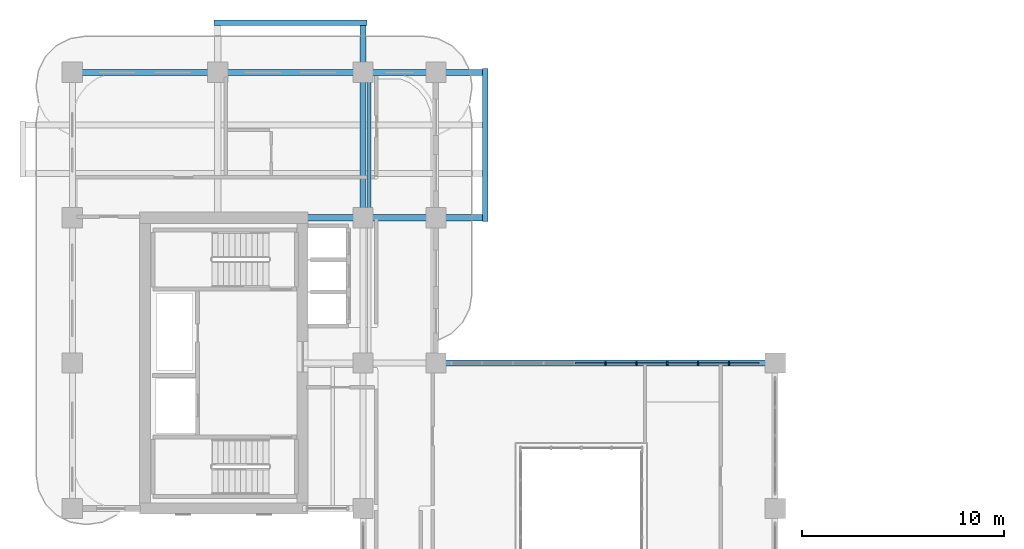
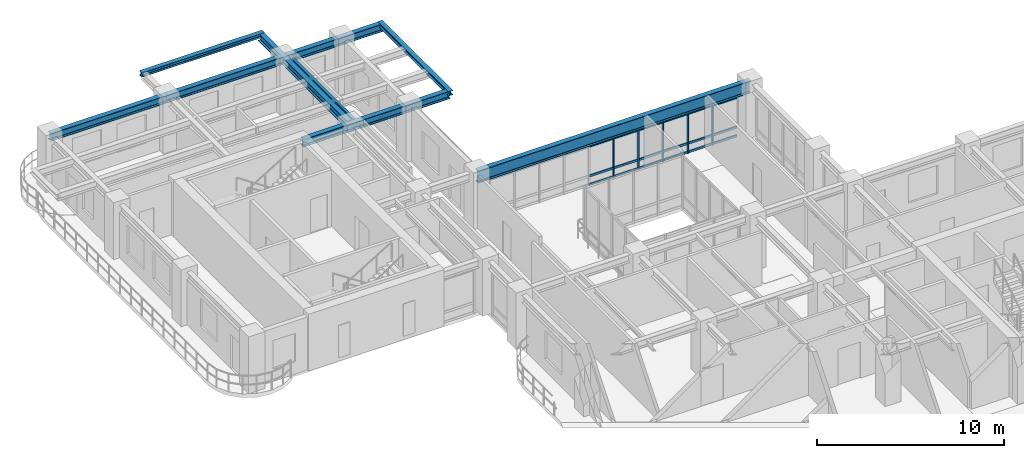
# One storey, part 6 of 20: 23 members, 8 beams, 1 element without a shape of its own.
"""IFC4 building model written with IfcOpenShell, lengths in metres."""

from ifc_helpers import new_model, si_unit, derived_unit, direction, frame, origin, origin_2d, place, context, subcontext, project, spatial, rectangle, i_section, extrude, source, transform, mapped, material, layer, layer_set, material_profile, profile_set, type_object, type_shapes, element, aggregate, save


model = new_model("IFC4")

# Units and contexts
model_context = context("Model", 3, precision=1e-05, world=origin(), true_north=direction((0.0, 1.0)))
body_context = subcontext(model_context, "Body", "Model", "MODEL_VIEW")
ifc_project = project(units=[si_unit("LENGTHUNIT", "METRE"), si_unit("AREAUNIT", "SQUARE_METRE"), si_unit("VOLUMEUNIT", "CUBIC_METRE"), si_unit("PLANEANGLEUNIT", "RADIAN"), si_unit("MASSUNIT", "GRAM", prefix="KILO"), si_unit("THERMODYNAMICTEMPERATUREUNIT", "KELVIN"), si_unit("POWERUNIT", "WATT"), derived_unit("THERMALTRANSMITTANCEUNIT", [(si_unit("POWERUNIT", "WATT"), 1), (si_unit("AREAUNIT", "SQUARE_METRE"), -1), (si_unit("THERMODYNAMICTEMPERATUREUNIT", "KELVIN"), -1)])], contexts=[model_context])

# Site, building, storey
site_placement = place(None, origin())
site = spatial("IfcSite", under=ifc_project, at=site_placement, CompositionType="ELEMENT")
building_placement = place(site_placement, origin())
building = spatial("IfcBuilding", under=site, at=building_placement, Name="Zahravan Archway Hotel and Residences", CompositionType="ELEMENT")
storey_placement = place(building_placement, frame((0.0, 0.0, 111.800048828125)))
storey = spatial("IfcBuildingStorey", under=building, at=storey_placement, Name="L27", CompositionType="ELEMENT", Elevation=111.800048828125)

# Beams
ifc_material_1 = material(Name="Structural Steel S355JR", Category="steel")
ifc_material_profile_1 = material_profile(ifc_material_1, i_section(OverallWidth=0.280029296875, OverallDepth=0.280029296875, WebThickness=0.010498046875, FlangeThickness=0.01806640625, FilletRadius=0.02392578125, at=origin_2d()), Name="HEB 280", Category="steel")
ifc_profile_set_1 = profile_set([ifc_material_profile_1], Name="Structural Steel S355JR")
beam_type_1 = type_object("IfcBeamType", Name="BM-SPN-HEB280", PredefinedType="SPANDREL", material=ifc_profile_set_1)
shared_shape_1 = source(origin(), body_context, "Body", "SweptSolid", [
    extrude(i_section(OverallWidth=0.280029296875, OverallDepth=0.280029296875, WebThickness=0.010498046875, FlangeThickness=0.01806640625, FilletRadius=0.02392578125, at=origin_2d()), origin(), (0.0, 0.0, 1.0), 7.56005859375),
])
type_shapes(beam_type_1, [shared_shape_1])
for number, where, z_axis, x_axis, name in (
    (1, (20.449951171875, 39.419921875, 3.31005859375), (0.0, 1.0, 0.0), (-1.0, 0.0, 0.0), "L28 EB Balcony Edge Spandrel"),
    (2, (7.02001953125, 49.25, 3.31005859375), (1.0, 0.0, 0.0), (0.0, 1.0, 0.0), "L28 NB Balcony Edge Spandrel"),
):
    element("IfcBeam", number, at=place(storey_placement, frame(where, z_axis=z_axis, x_axis=x_axis)), inside=storey, type_object=beam_type_1, Name=name, PredefinedType="SPANDREL", context=body_context, shape_type="MappedRepresentation", body=[
        mapped(shared_shape_1, transform((0.0, 0.0, 0.0), scale=1.0)),
    ])
ifc_material_2 = material(Name="Structural Steel S355J2", Category="steel")
ifc_material_profile_2 = material_profile(ifc_material_2, i_section(OverallWidth=0.300048828125, OverallDepth=0.800048828125, WebThickness=0.017578125, FlangeThickness=0.032958984375, FilletRadius=0.030029296875, at=origin_2d()), Name="HEB 800", Category="steel")
ifc_profile_set_2 = profile_set([ifc_material_profile_2], Name="Structural Steel S355J2")
beam_type_2 = type_object("IfcBeamType", Name="BM-PRI-HEB800", PredefinedType="BEAM", material=ifc_profile_set_2)
shared_shape_2 = source(origin(), body_context, "Body", "SweptSolid", [
    extrude(i_section(OverallWidth=0.300048828125, OverallDepth=0.800048828125, WebThickness=0.017578125, FlangeThickness=0.032958984375, FilletRadius=0.030029296875, at=origin_2d()), origin(), (0.0, 0.0, 1.0), 16.800048828125),
])
type_shapes(beam_type_2, [shared_shape_2])
beam_1_placement = place(storey_placement, frame((18.0, 32.39990234375, 3.050048828125), z_axis=(1.0, 0.0, 0.0), x_axis=(0.0, 1.0, 0.0)))
element("IfcBeam", 3, at=beam_1_placement, inside=storey, type_object=beam_type_2, Name="L27 Primary Girder EW-18", PredefinedType="BEAM", context=body_context, shape_type="MappedRepresentation", body=[
    mapped(shared_shape_2, transform((0.0, 0.0, 0.0), scale=1.0)),
])
ifc_material_profile_3 = material_profile(ifc_material_1, i_section(OverallWidth=0.300048828125, OverallDepth=0.5, WebThickness=0.014404296875, FlangeThickness=0.028076171875, FilletRadius=0.027099609375, at=origin_2d()), Name="HEB 500", Category="steel")
ifc_profile_set_3 = profile_set([ifc_material_profile_3], Name="Structural Steel S355JR")
beam_type_3 = type_object("IfcBeamType", Name="BM-PRI-HEB500", PredefinedType="BEAM", material=ifc_profile_set_3)
shared_shape_3 = source(origin(), body_context, "Body", "SweptSolid", [
    extrude(i_section(OverallWidth=0.300048828125, OverallDepth=0.5, WebThickness=0.014404296875, FlangeThickness=0.028076171875, FilletRadius=0.027099609375, at=origin_2d()), origin(), (0.0, 0.0, 1.0), 7.199951171875),
])
beam_2_placement = place(storey_placement, frame((0.0, 46.800048828125, 3.199951171875), z_axis=(1.0, 0.0, 0.0), x_axis=(0.0, 1.0, 0.0)))
element("IfcBeam", 4, at=beam_2_placement, inside=storey, type_object=beam_type_3, Name="L27 Primary Girder EW-20", PredefinedType="BEAM", context=body_context, shape_type="MappedRepresentation", body=[
    mapped(shared_shape_3, transform((0.0, 0.0, 0.0), scale=1.0)),
])
shared_shape_4 = source(origin(), body_context, "Body", "SweptSolid", [
    extrude(i_section(OverallWidth=0.300048828125, OverallDepth=0.5, WebThickness=0.014404296875, FlangeThickness=0.028076171875, FilletRadius=0.027099609375, at=origin_2d()), origin(), (0.0, 0.0, 1.0), 9.050048828125),
])
beam_3_placement = place(storey_placement, frame((11.39990234375, 39.60009765625, 3.199951171875), z_axis=(1.0, 0.0, 0.0), x_axis=(0.0, 1.0, 0.0)))
element("IfcBeam", 5, at=beam_3_placement, inside=storey, type_object=beam_type_3, Name="L27 Primary Girder EW-19", PredefinedType="BEAM", context=body_context, shape_type="MappedRepresentation", body=[
    mapped(shared_shape_4, transform((0.0, 0.0, 0.0), scale=1.0)),
])
shared_shape_5 = source(origin(), body_context, "Body", "SweptSolid", [
    extrude(i_section(OverallWidth=0.300048828125, OverallDepth=0.5, WebThickness=0.014404296875, FlangeThickness=0.028076171875, FilletRadius=0.027099609375, at=origin_2d()), origin(), (0.0, 0.0, 1.0), 13.25),
])
beam_4_placement = place(storey_placement, frame((7.199951171875, 46.800048828125, 3.199951171875), z_axis=(1.0, 0.0, 0.0), x_axis=(0.0, 1.0, 0.0)))
element("IfcBeam", 6, at=beam_4_placement, inside=storey, type_object=beam_type_3, Name="L27 Primary Girder EW-21", PredefinedType="BEAM", context=body_context, shape_type="MappedRepresentation", body=[
    mapped(shared_shape_5, transform((0.0, 0.0, 0.0), scale=1.0)),
])
shared_shape_6 = source(origin(), body_context, "Body", "SweptSolid", [
    extrude(i_section(OverallWidth=0.300048828125, OverallDepth=0.5, WebThickness=0.014404296875, FlangeThickness=0.028076171875, FilletRadius=0.027099609375, at=origin_2d()), origin(), (0.0, 0.0, 1.0), 9.64990234375),
])
beam_5_placement = place(storey_placement, frame((14.39990234375, 39.60009765625, 3.199951171875), z_axis=(0.0, 1.0, 0.0), x_axis=(-1.0, 0.0, 0.0)))
element("IfcBeam", 7, at=beam_5_placement, inside=storey, type_object=beam_type_3, Name="L27 Primary Girder NS-34", PredefinedType="BEAM", context=body_context, shape_type="MappedRepresentation", body=[
    mapped(shared_shape_6, transform((0.0, 0.0, 0.0), scale=1.0)),
])
ifc_material_profile_4 = material_profile(ifc_material_1, i_section(OverallWidth=0.159912109375, OverallDepth=0.330078125, WebThickness=0.007568359375, FlangeThickness=0.011474609375, FilletRadius=0.01806640625, at=origin_2d()), Name="IPE 330", Category="steel")
ifc_profile_set_4 = profile_set([ifc_material_profile_4], Name="Structural Steel S355JR")
beam_type_4 = type_object("IfcBeamType", Name="BM-JST-IPE330", PredefinedType="JOIST", material=ifc_profile_set_4)
shared_shape_7 = source(origin(), body_context, "Body", "SweptSolid", [
    extrude(i_section(OverallWidth=0.159912109375, OverallDepth=0.330078125, WebThickness=0.007568359375, FlangeThickness=0.011474609375, FilletRadius=0.01806640625, at=origin_2d()), origin(), (0.0, 0.0, 1.0), 6.904052734375),
])
type_shapes(beam_type_4, [shared_shape_7])
beam_6_placement = place(storey_placement, frame((14.699951171875, 39.748046875, 3.284912109375), z_axis=(0.0, 1.0, 0.0), x_axis=(-1.0, 0.0, 0.0)))
element("IfcBeam", 8, at=beam_6_placement, inside=storey, type_object=beam_type_4, Name="L27 Composite Floor Joist 12", PredefinedType="JOIST", context=body_context, shape_type="MappedRepresentation", body=[
    mapped(shared_shape_7, transform((0.0, 0.0, 0.0), scale=1.0)),
])

# Curtain wall, members
ifc_material_3 = material(Name="Bronze-Anodized Unitised Aluminium & Low-E Glass", Category="aluminium")
ifc_layer = layer(ifc_material_3, 0.179931640625, Name="Bronze-Anodized Unitised Aluminium & Low-E Glass", Category="aluminium")
ifc_layer_set = layer_set([ifc_layer], Name="Bronze-Anodized Unitised Aluminium & Low-E Glass")
curtain_wall_type = type_object("IfcCurtainWallType", Name="CW-ATR-GLAZ", PredefinedType="NOTDEFINED", material=ifc_layer_set)
curtain_wall_placement = place(storey_placement, origin())
curtain_wall = element("IfcCurtainWall", 9, at=curtain_wall_placement, inside=storey, type_object=curtain_wall_type, Name="L27 Curtain Wall CW-L27-HNG-N-1", PredefinedType="NOTDEFINED")
ifc_material_4 = material(Name="Bronze-Anodized Extruded Aluminium", Category="aluminium")
ifc_material_profile_5 = material_profile(ifc_material_4, rectangle(XDim=0.080078125, YDim=0.159912109375, at=origin_2d()), Name="MUL 80x160", Category="aluminium")
ifc_profile_set_5 = profile_set([ifc_material_profile_5], Name="Bronze-Anodized Extruded Aluminium")
member_type_1 = type_object("IfcMemberType", Name="CWM-MUL-160", PredefinedType="MULLION", material=ifc_profile_set_5)
shared_shape_8 = source(origin(), body_context, "Body", "SweptSolid", [
    extrude(rectangle(XDim=0.080078125, YDim=0.159912109375, at=origin_2d()), origin(), (0.0, 0.0, 1.0), 2.635009765625),
])
member_1_placement = place(storey_placement, frame((26.39990234375, 32.39990234375, 0.0), z_axis=(0.0, 0.0, 1.0), x_axis=(1.0, 0.0, 0.0)))
member_1 = element("IfcMember", 10, at=member_1_placement, type_object=member_type_1, Name="CW-L27-HNG-N-1 Mullion 5", PredefinedType="MULLION", context=body_context, shape_type="MappedRepresentation", body=[
    mapped(shared_shape_8, transform((0.0, 0.0, 0.0), scale=1.0)),
])
member_2_placement = place(storey_placement, frame((27.927978515625, 32.39990234375, 0.0), z_axis=(0.0, 0.0, 1.0), x_axis=(1.0, 0.0, 0.0)))
member_2 = element("IfcMember", 11, at=member_2_placement, type_object=member_type_1, Name="CW-L27-HNG-N-1 Mullion 6", PredefinedType="MULLION", context=body_context, shape_type="MappedRepresentation", body=[
    mapped(shared_shape_8, transform((0.0, 0.0, 0.0), scale=1.0)),
])
member_3_placement = place(storey_placement, frame((29.4560546875, 32.39990234375, 0.0), z_axis=(0.0, 0.0, 1.0), x_axis=(1.0, 0.0, 0.0)))
member_3 = element("IfcMember", 12, at=member_3_placement, type_object=member_type_1, Name="CW-L27-HNG-N-1 Mullion 7", PredefinedType="MULLION", context=body_context, shape_type="MappedRepresentation", body=[
    mapped(shared_shape_8, transform((0.0, 0.0, 0.0), scale=1.0)),
])
member_4_placement = place(storey_placement, frame((30.98388671875, 32.39990234375, 0.0), z_axis=(0.0, 0.0, 1.0), x_axis=(1.0, 0.0, 0.0)))
member_4 = element("IfcMember", 13, at=member_4_placement, type_object=member_type_1, Name="CW-L27-HNG-N-1 Mullion 8", PredefinedType="MULLION", context=body_context, shape_type="MappedRepresentation", body=[
    mapped(shared_shape_8, transform((0.0, 0.0, 0.0), scale=1.0)),
])
member_5_placement = place(storey_placement, frame((32.511962890625, 32.39990234375, 0.0), z_axis=(0.0, 0.0, 1.0), x_axis=(1.0, 0.0, 0.0)))
member_5 = element("IfcMember", 14, at=member_5_placement, type_object=member_type_1, Name="CW-L27-HNG-N-1 Mullion 9", PredefinedType="MULLION", context=body_context, shape_type="MappedRepresentation", body=[
    mapped(shared_shape_8, transform((0.0, 0.0, 0.0), scale=1.0)),
])
ifc_material_profile_6 = material_profile(ifc_material_4, rectangle(XDim=0.080078125, YDim=0.139892578125, at=origin_2d()), Name="TRN 80x140", Category="aluminium")
ifc_profile_set_6 = profile_set([ifc_material_profile_6], Name="Bronze-Anodized Extruded Aluminium")
member_type_2 = type_object("IfcMemberType", Name="CWM-TRN-140", PredefinedType="USERDEFINED", material=ifc_profile_set_6)
shared_shape_9 = source(origin(), body_context, "Body", "SweptSolid", [
    extrude(rectangle(XDim=0.080078125, YDim=0.139892578125, at=origin_2d()), origin(), (0.0, 0.0, 1.0), 1.447998046875),
])
member_6_placement = place(storey_placement, frame((24.912109375, 32.39990234375, 0.070068359375), z_axis=(1.0, 0.0, 0.0), x_axis=(0.0, 1.0, 0.0)))
member_6 = element("IfcMember", 15, at=member_6_placement, type_object=member_type_2, Name="CW-L27-HNG-N-1 Transom 4-1", ObjectType="TRANSOM", PredefinedType="USERDEFINED", context=body_context, shape_type="MappedRepresentation", body=[
    mapped(shared_shape_9, transform((0.0, 0.0, 0.0), scale=1.0)),
])
member_7_placement = place(storey_placement, frame((24.912109375, 32.39990234375, 0.63232421875), z_axis=(1.0, 0.0, 0.0), x_axis=(0.0, 1.0, 0.0)))
member_7 = element("IfcMember", 16, at=member_7_placement, type_object=member_type_2, Name="CW-L27-HNG-N-1 Transom 4-2", ObjectType="TRANSOM", PredefinedType="USERDEFINED", context=body_context, shape_type="MappedRepresentation", body=[
    mapped(shared_shape_9, transform((0.0, 0.0, 0.0), scale=1.0)),
])
member_8_placement = place(storey_placement, frame((24.912109375, 32.39990234375, 2.56494140625), z_axis=(1.0, 0.0, 0.0), x_axis=(0.0, 1.0, 0.0)))
member_8 = element("IfcMember", 17, at=member_8_placement, type_object=member_type_2, Name="CW-L27-HNG-N-1 Transom 4-3", ObjectType="TRANSOM", PredefinedType="USERDEFINED", context=body_context, shape_type="MappedRepresentation", body=[
    mapped(shared_shape_9, transform((0.0, 0.0, 0.0), scale=1.0)),
])
member_9_placement = place(storey_placement, frame((26.43994140625, 32.39990234375, 0.070068359375), z_axis=(1.0, 0.0, 0.0), x_axis=(0.0, 1.0, 0.0)))
member_9 = element("IfcMember", 18, at=member_9_placement, type_object=member_type_2, Name="CW-L27-HNG-N-1 Transom 5-1", ObjectType="TRANSOM", PredefinedType="USERDEFINED", context=body_context, shape_type="MappedRepresentation", body=[
    mapped(shared_shape_9, transform((0.0, 0.0, 0.0), scale=1.0)),
])
member_10_placement = place(storey_placement, frame((26.43994140625, 32.39990234375, 0.63232421875), z_axis=(1.0, 0.0, 0.0), x_axis=(0.0, 1.0, 0.0)))
member_10 = element("IfcMember", 19, at=member_10_placement, type_object=member_type_2, Name="CW-L27-HNG-N-1 Transom 5-2", ObjectType="TRANSOM", PredefinedType="USERDEFINED", context=body_context, shape_type="MappedRepresentation", body=[
    mapped(shared_shape_9, transform((0.0, 0.0, 0.0), scale=1.0)),
])
member_11_placement = place(storey_placement, frame((26.43994140625, 32.39990234375, 2.56494140625), z_axis=(1.0, 0.0, 0.0), x_axis=(0.0, 1.0, 0.0)))
member_11 = element("IfcMember", 20, at=member_11_placement, type_object=member_type_2, Name="CW-L27-HNG-N-1 Transom 5-3", ObjectType="TRANSOM", PredefinedType="USERDEFINED", context=body_context, shape_type="MappedRepresentation", body=[
    mapped(shared_shape_9, transform((0.0, 0.0, 0.0), scale=1.0)),
])
member_12_placement = place(storey_placement, frame((27.968017578125, 32.39990234375, 0.070068359375), z_axis=(1.0, 0.0, 0.0), x_axis=(0.0, 1.0, 0.0)))
member_12 = element("IfcMember", 21, at=member_12_placement, type_object=member_type_2, Name="CW-L27-HNG-N-1 Transom 6-1", ObjectType="TRANSOM", PredefinedType="USERDEFINED", context=body_context, shape_type="MappedRepresentation", body=[
    mapped(shared_shape_9, transform((0.0, 0.0, 0.0), scale=1.0)),
])
member_13_placement = place(storey_placement, frame((27.968017578125, 32.39990234375, 0.63232421875), z_axis=(1.0, 0.0, 0.0), x_axis=(0.0, 1.0, 0.0)))
member_13 = element("IfcMember", 22, at=member_13_placement, type_object=member_type_2, Name="CW-L27-HNG-N-1 Transom 6-2", ObjectType="TRANSOM", PredefinedType="USERDEFINED", context=body_context, shape_type="MappedRepresentation", body=[
    mapped(shared_shape_9, transform((0.0, 0.0, 0.0), scale=1.0)),
])
member_14_placement = place(storey_placement, frame((27.968017578125, 32.39990234375, 2.56494140625), z_axis=(1.0, 0.0, 0.0), x_axis=(0.0, 1.0, 0.0)))
member_14 = element("IfcMember", 23, at=member_14_placement, type_object=member_type_2, Name="CW-L27-HNG-N-1 Transom 6-3", ObjectType="TRANSOM", PredefinedType="USERDEFINED", context=body_context, shape_type="MappedRepresentation", body=[
    mapped(shared_shape_9, transform((0.0, 0.0, 0.0), scale=1.0)),
])
member_15_placement = place(storey_placement, frame((29.49609375, 32.39990234375, 0.070068359375), z_axis=(1.0, 0.0, 0.0), x_axis=(0.0, 1.0, 0.0)))
member_15 = element("IfcMember", 24, at=member_15_placement, type_object=member_type_2, Name="CW-L27-HNG-N-1 Transom 7-1", ObjectType="TRANSOM", PredefinedType="USERDEFINED", context=body_context, shape_type="MappedRepresentation", body=[
    mapped(shared_shape_9, transform((0.0, 0.0, 0.0), scale=1.0)),
])
member_16_placement = place(storey_placement, frame((29.49609375, 32.39990234375, 0.63232421875), z_axis=(1.0, 0.0, 0.0), x_axis=(0.0, 1.0, 0.0)))
member_16 = element("IfcMember", 25, at=member_16_placement, type_object=member_type_2, Name="CW-L27-HNG-N-1 Transom 7-2", ObjectType="TRANSOM", PredefinedType="USERDEFINED", context=body_context, shape_type="MappedRepresentation", body=[
    mapped(shared_shape_9, transform((0.0, 0.0, 0.0), scale=1.0)),
])
member_17_placement = place(storey_placement, frame((29.49609375, 32.39990234375, 2.56494140625), z_axis=(1.0, 0.0, 0.0), x_axis=(0.0, 1.0, 0.0)))
member_17 = element("IfcMember", 26, at=member_17_placement, type_object=member_type_2, Name="CW-L27-HNG-N-1 Transom 7-3", ObjectType="TRANSOM", PredefinedType="USERDEFINED", context=body_context, shape_type="MappedRepresentation", body=[
    mapped(shared_shape_9, transform((0.0, 0.0, 0.0), scale=1.0)),
])
member_18_placement = place(storey_placement, frame((31.02392578125, 32.39990234375, 0.070068359375), z_axis=(1.0, 0.0, 0.0), x_axis=(0.0, 1.0, 0.0)))
member_18 = element("IfcMember", 27, at=member_18_placement, type_object=member_type_2, Name="CW-L27-HNG-N-1 Transom 8-1", ObjectType="TRANSOM", PredefinedType="USERDEFINED", context=body_context, shape_type="MappedRepresentation", body=[
    mapped(shared_shape_9, transform((0.0, 0.0, 0.0), scale=1.0)),
])
member_19_placement = place(storey_placement, frame((31.02392578125, 32.39990234375, 0.63232421875), z_axis=(1.0, 0.0, 0.0), x_axis=(0.0, 1.0, 0.0)))
member_19 = element("IfcMember", 28, at=member_19_placement, type_object=member_type_2, Name="CW-L27-HNG-N-1 Transom 8-2", ObjectType="TRANSOM", PredefinedType="USERDEFINED", context=body_context, shape_type="MappedRepresentation", body=[
    mapped(shared_shape_9, transform((0.0, 0.0, 0.0), scale=1.0)),
])
member_20_placement = place(storey_placement, frame((31.02392578125, 32.39990234375, 2.56494140625), z_axis=(1.0, 0.0, 0.0), x_axis=(0.0, 1.0, 0.0)))
member_20 = element("IfcMember", 29, at=member_20_placement, type_object=member_type_2, Name="CW-L27-HNG-N-1 Transom 8-3", ObjectType="TRANSOM", PredefinedType="USERDEFINED", context=body_context, shape_type="MappedRepresentation", body=[
    mapped(shared_shape_9, transform((0.0, 0.0, 0.0), scale=1.0)),
])
member_21_placement = place(storey_placement, frame((32.552001953125, 32.39990234375, 0.070068359375), z_axis=(1.0, 0.0, 0.0), x_axis=(0.0, 1.0, 0.0)))
member_21 = element("IfcMember", 30, at=member_21_placement, type_object=member_type_2, Name="CW-L27-HNG-N-1 Transom 9-1", ObjectType="TRANSOM", PredefinedType="USERDEFINED", context=body_context, shape_type="MappedRepresentation", body=[
    mapped(shared_shape_9, transform((0.0, 0.0, 0.0), scale=1.0)),
])
member_22_placement = place(storey_placement, frame((32.552001953125, 32.39990234375, 0.63232421875), z_axis=(1.0, 0.0, 0.0), x_axis=(0.0, 1.0, 0.0)))
member_22 = element("IfcMember", 31, at=member_22_placement, type_object=member_type_2, Name="CW-L27-HNG-N-1 Transom 9-2", ObjectType="TRANSOM", PredefinedType="USERDEFINED", context=body_context, shape_type="MappedRepresentation", body=[
    mapped(shared_shape_9, transform((0.0, 0.0, 0.0), scale=1.0)),
])
member_23_placement = place(storey_placement, frame((32.552001953125, 32.39990234375, 2.56494140625), z_axis=(1.0, 0.0, 0.0), x_axis=(0.0, 1.0, 0.0)))
member_23 = element("IfcMember", 32, at=member_23_placement, type_object=member_type_2, Name="CW-L27-HNG-N-1 Transom 9-3", ObjectType="TRANSOM", PredefinedType="USERDEFINED", context=body_context, shape_type="MappedRepresentation", body=[
    mapped(shared_shape_9, transform((0.0, 0.0, 0.0), scale=1.0)),
])
aggregate(curtain_wall, [member_1, member_2, member_3, member_4, member_5, member_6, member_7, member_8, member_9, member_10, member_11, member_12, member_13, member_14, member_15, member_16, member_17, member_18, member_19, member_20, member_21, member_22, member_23])

save(model, "model.ifc")
